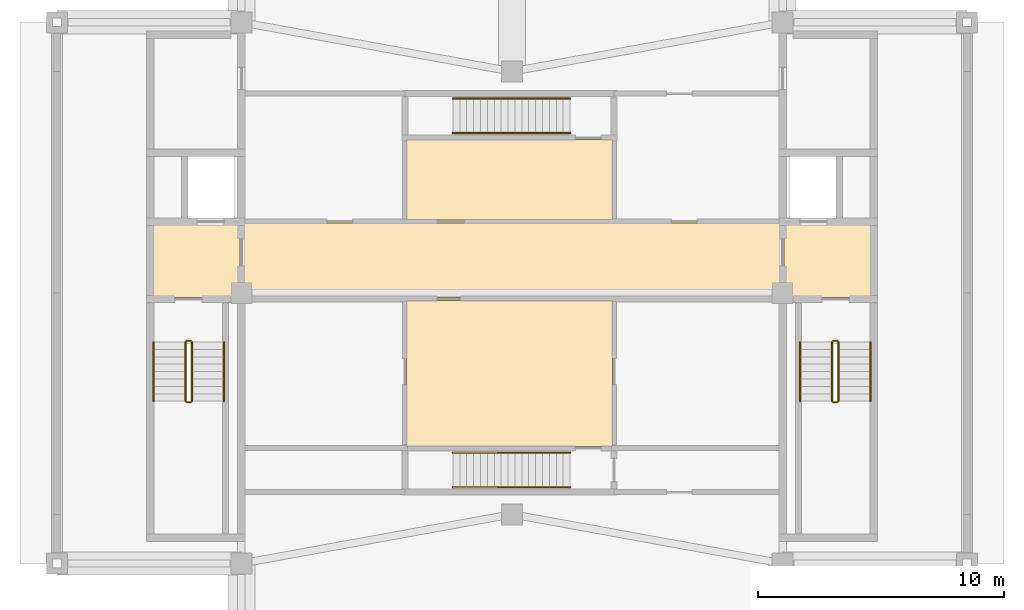
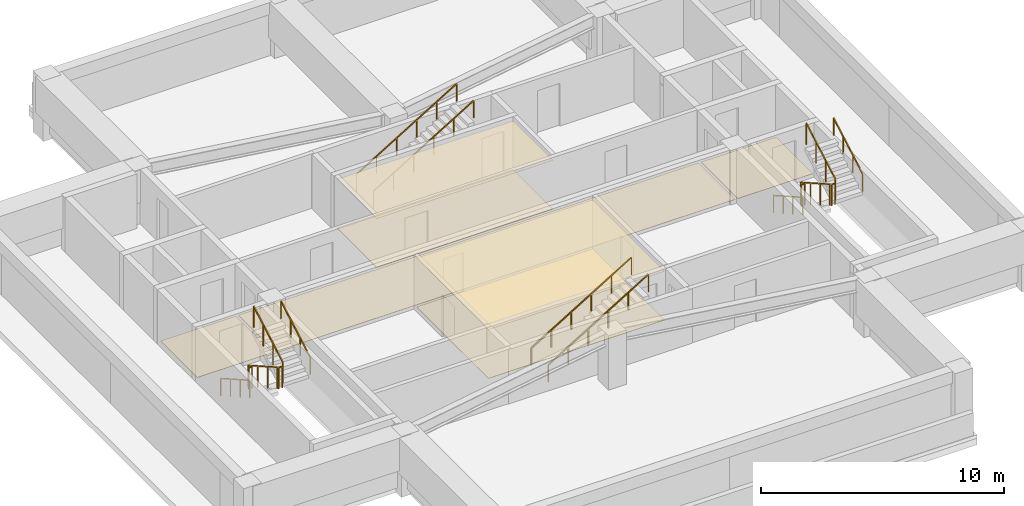
# One storey, part 4 of 4: 16 railings, 7 coverings.
"""IFC4 building model written with IfcOpenShell, lengths in metres."""

from ifc_helpers import new_model, si_unit, direction, frame, origin, origin_2d, place, context, subcontext, project, spatial, polyline, rectangle, outline, extrude, material, layer, layer_set, type_object, element, save


model = new_model("IFC4")

# Units and contexts
model_context = context("Model", 3, precision=1e-05, world=origin(), true_north=direction((0.0, 1.0)))
body_context = subcontext(model_context, "Body", "Model", "MODEL_VIEW")
ifc_project = project(units=[si_unit("LENGTHUNIT", "METRE"), si_unit("AREAUNIT", "SQUARE_METRE"), si_unit("VOLUMEUNIT", "CUBIC_METRE"), si_unit("PLANEANGLEUNIT", "RADIAN"), si_unit("MASSUNIT", "GRAM", prefix="KILO")], contexts=[model_context])

# Site, building, storey
site_placement = place(None, origin())
site = spatial("IfcSite", under=ifc_project, at=site_placement, CompositionType="ELEMENT")
building_placement = place(site_placement, origin())
building = spatial("IfcBuilding", under=site, at=building_placement, Name="Zulmaris Gate Convention Tower", CompositionType="ELEMENT")
storey_placement = place(building_placement, frame((0.0, 0.0, 284.85986328125)))
storey = spatial("IfcBuildingStorey", under=building, at=storey_placement, Name="L76", CompositionType="ELEMENT", Elevation=284.85986328125)

# Coverings
ifc_material_1 = material(Name="Mineral Fibre Acoustic Ceiling Tile")
ifc_layer_1 = layer(ifc_material_1, 0.02001953125, Name="Mineral Fibre Acoustic Ceiling Tile")
ifc_layer_set_1 = layer_set([ifc_layer_1], Name="Mineral Fibre Acoustic Ceiling Tile")
covering_type_1 = type_object("IfcCoveringType", Name="CLG-ACOUSTIC-600", PredefinedType="CEILING", material=ifc_layer_set_1)
covering_1_placement = place(storey_placement, frame((0.0, 0.0, 2.455078125)))
element("IfcCovering", 1, at=covering_1_placement, inside=storey, type_object=covering_type_1, Name="CLG-L76-R16", PredefinedType="CEILING", context=body_context, shape_type="SweptSolid", body=[
    extrude(outline(polyline([(-4.2900390625, -6.239990234375), (4.090087890625, -6.239990234375), (4.090087890625, -0.31005859375), (-4.2900390625, -0.31005859375), (-4.2900390625, -6.239990234375)])), origin(), (0.0, 0.0, 1.0), 0.02001953125),
])
covering_2_placement = place(storey_placement, frame((0.0, 0.0, 2.455078125)))
element("IfcCovering", 2, at=covering_2_placement, inside=storey, type_object=covering_type_1, Name="CLG-L76-R17", PredefinedType="CEILING", context=body_context, shape_type="SweptSolid", body=[
    extrude(outline(polyline([(-4.2900390625, 2.9599609375), (4.090087890625, 2.9599609375), (4.090087890625, 6.239990234375), (-4.2900390625, 6.239990234375), (-4.2900390625, 2.9599609375)])), origin(), (0.0, 0.0, 1.0), 0.02001953125),
])
ifc_material_2 = material(Name="Woven Acoustic Wool Carpet Tile")
ifc_layer_2 = layer(ifc_material_2, 0.02001953125, Name="Woven Acoustic Wool Carpet Tile")
ifc_layer_set_2 = layer_set([ifc_layer_2], Name="Woven Acoustic Wool Carpet Tile")
covering_type_2 = type_object("IfcCoveringType", Name="FLR-CARPET-12", PredefinedType="FLOORING", material=ifc_layer_set_2)
covering_3_placement = place(storey_placement, origin())
element("IfcCovering", 3, at=covering_3_placement, inside=storey, type_object=covering_type_2, Name="FLR-L76-R03", PredefinedType="FLOORING", context=body_context, shape_type="SweptSolid", body=[
    extrude(outline(polyline([(-14.639892578125, -0.18994140625), (-11.06005859375, -0.18994140625), (-11.06005859375, 2.840087890625), (-14.639892578125, 2.840087890625), (-14.639892578125, -0.18994140625)])), origin(), (0.0, 0.0, 1.0), 0.02001953125),
])
covering_4_placement = place(storey_placement, origin())
element("IfcCovering", 4, at=covering_4_placement, inside=storey, type_object=covering_type_2, Name="FLR-L76-R08", PredefinedType="FLOORING", context=body_context, shape_type="SweptSolid", body=[
    extrude(outline(polyline([(11.06005859375, -0.18994140625), (14.639892578125, -0.18994140625), (14.639892578125, 2.840087890625), (11.06005859375, 2.840087890625), (11.06005859375, -0.18994140625)])), origin(), (0.0, 0.0, 1.0), 0.02001953125),
])
covering_5_placement = place(storey_placement, origin())
element("IfcCovering", 5, at=covering_5_placement, inside=storey, type_object=covering_type_2, Name="FLR-L76-R15", PredefinedType="FLOORING", context=body_context, shape_type="SweptSolid", body=[
    extrude(outline(polyline([(-10.93994140625, -0.18994140625), (10.93994140625, -0.18994140625), (10.93994140625, 2.840087890625), (-10.93994140625, 2.840087890625), (-10.93994140625, -0.18994140625)])), origin(), (0.0, 0.0, 1.0), 0.02001953125),
])
covering_6_placement = place(storey_placement, origin())
element("IfcCovering", 6, at=covering_6_placement, inside=storey, type_object=covering_type_2, Name="FLR-L76-R16", PredefinedType="FLOORING", context=body_context, shape_type="SweptSolid", body=[
    extrude(outline(polyline([(-4.2900390625, -6.239990234375), (4.090087890625, -6.239990234375), (4.090087890625, -0.31005859375), (-4.2900390625, -0.31005859375), (-4.2900390625, -6.239990234375)])), origin(), (0.0, 0.0, 1.0), 0.02001953125),
])
covering_7_placement = place(storey_placement, origin())
element("IfcCovering", 7, at=covering_7_placement, inside=storey, type_object=covering_type_2, Name="FLR-L76-R17", PredefinedType="FLOORING", context=body_context, shape_type="SweptSolid", body=[
    extrude(outline(polyline([(-4.2900390625, 2.9599609375), (4.090087890625, 2.9599609375), (4.090087890625, 6.239990234375), (-4.2900390625, 6.239990234375), (-4.2900390625, 2.9599609375)])), origin(), (0.0, 0.0, 1.0), 0.02001953125),
])

# Railings
ifc_material_3 = material(Name="Painted Galvanised Steel", Category="steel")
railing_type_1 = type_object("IfcRailingType", Name="RL-STG-1150", PredefinedType="GUARDRAIL", material=ifc_material_3)
railing_1_placement = place(storey_placement, frame((-13.27001953125, -2.0, 0.169921875)))
element("IfcRailing", 8, at=railing_1_placement, inside=storey, type_object=railing_type_1, Name="L76 ST-1 stair guard 1", PredefinedType="GUARDRAIL", context=body_context, shape_type="SweptSolid", body=[
    extrude(rectangle(XDim=0.048095703125, YDim=0.048095703125, at=origin_2d()), frame((0.0, 0.0, 1.076171875), z_axis=(0.0, -0.869996876503, 0.493057232859), x_axis=(1.0, 0.0, 0.0)), (0.0, 0.0, 1.0), 2.758544921875),
    extrude(rectangle(XDim=0.0419921875, YDim=0.0419921875, at=origin_2d()), origin(), (0.0, 0.0, 1.0), 1.052001953125),
    extrude(rectangle(XDim=0.0419921875, YDim=0.0419921875, at=origin_2d()), frame((0.0, -0.800048828125, 0.453369140625)), (0.0, 0.0, 1.0), 1.052001953125),
    extrude(rectangle(XDim=0.0419921875, YDim=0.0419921875, at=origin_2d()), frame((0.0, -1.599853515625, 0.90673828125)), (0.0, 0.0, 1.0), 1.052001953125),
    extrude(rectangle(XDim=0.0419921875, YDim=0.0419921875, at=origin_2d()), frame((0.0, -2.39990234375, 1.360107421875)), (0.0, 0.0, 1.0), 1.052001953125),
])
railing_2_placement = place(storey_placement, frame((-13.219970703125, -4.449951171875, 1.530029296875)))
element("IfcRailing", 9, at=railing_2_placement, inside=storey, type_object=railing_type_1, Name="L76 ST-1 stair guard 2", PredefinedType="GUARDRAIL", context=body_context, shape_type="SweptSolid", body=[
    extrude(rectangle(XDim=0.048095703125, YDim=0.048095703125, at=origin_2d()), frame((0.0, 0.0, 1.076171875), z_axis=(1.0, 0.0, 0.0), x_axis=(0.0, 1.0, 0.0)), (0.0, 0.0, 1.0), 0.159912109375),
    extrude(rectangle(XDim=0.0419921875, YDim=0.0419921875, at=origin_2d()), origin(), (0.0, 0.0, 1.0), 1.052001953125),
    extrude(rectangle(XDim=0.0419921875, YDim=0.0419921875, at=origin_2d()), frame((0.159912109375, 0.0, 0.0)), (0.0, 0.0, 1.0), 1.052001953125),
])
railing_3_placement = place(storey_placement, frame((-13.010009765625, -4.39990234375, 1.699951171875)))
element("IfcRailing", 10, at=railing_3_placement, inside=storey, type_object=railing_type_1, Name="L76 ST-1 stair guard 3", PredefinedType="GUARDRAIL", context=body_context, shape_type="SweptSolid", body=[
    extrude(rectangle(XDim=0.048095703125, YDim=0.048095703125, at=origin_2d()), frame((0.0, 0.0, 1.076171875), z_axis=(0.0, 0.869996876503, 0.493057232859), x_axis=(-1.0, 0.0, 0.0)), (0.0, 0.0, 1.0), 2.758544921875),
    extrude(rectangle(XDim=0.0419921875, YDim=0.0419921875, at=origin_2d()), origin(), (0.0, 0.0, 1.0), 1.052001953125),
    extrude(rectangle(XDim=0.0419921875, YDim=0.0419921875, at=origin_2d()), frame((0.0, 0.800048828125, 0.453369140625)), (0.0, 0.0, 1.0), 1.052001953125),
    extrude(rectangle(XDim=0.0419921875, YDim=0.0419921875, at=origin_2d()), frame((0.0, 1.599853515625, 0.90673828125)), (0.0, 0.0, 1.0), 1.052001953125),
    extrude(rectangle(XDim=0.0419921875, YDim=0.0419921875, at=origin_2d()), frame((0.0, 2.39990234375, 1.360107421875)), (0.0, 0.0, 1.0), 1.052001953125),
])
railing_4_placement = place(storey_placement, frame((-13.219970703125, -1.949951171875, 0.0)))
element("IfcRailing", 11, at=railing_4_placement, inside=storey, type_object=railing_type_1, Name="L76 ST-1 stair guard 4", PredefinedType="GUARDRAIL", context=body_context, shape_type="SweptSolid", body=[
    extrude(rectangle(XDim=0.048095703125, YDim=0.048095703125, at=origin_2d()), frame((0.0, 0.0, 1.076171875), z_axis=(1.0, 0.0, 0.0), x_axis=(0.0, 1.0, 0.0)), (0.0, 0.0, 1.0), 0.159912109375),
    extrude(rectangle(XDim=0.0419921875, YDim=0.0419921875, at=origin_2d()), origin(), (0.0, 0.0, 1.0), 1.052001953125),
    extrude(rectangle(XDim=0.0419921875, YDim=0.0419921875, at=origin_2d()), frame((0.159912109375, 0.0, 0.0)), (0.0, 0.0, 1.0), 1.052001953125),
])
railing_5_placement = place(storey_placement, frame((13.010009765625, -2.0, 0.169921875)))
element("IfcRailing", 12, at=railing_5_placement, inside=storey, type_object=railing_type_1, Name="L76 ST-2 stair guard 1", PredefinedType="GUARDRAIL", context=body_context, shape_type="SweptSolid", body=[
    extrude(rectangle(XDim=0.048095703125, YDim=0.048095703125, at=origin_2d()), frame((0.0, 0.0, 1.076171875), z_axis=(0.0, -0.869996876503, 0.493057232859), x_axis=(1.0, 0.0, 0.0)), (0.0, 0.0, 1.0), 2.758544921875),
    extrude(rectangle(XDim=0.0419921875, YDim=0.0419921875, at=origin_2d()), origin(), (0.0, 0.0, 1.0), 1.052001953125),
    extrude(rectangle(XDim=0.0419921875, YDim=0.0419921875, at=origin_2d()), frame((0.0, -0.800048828125, 0.453369140625)), (0.0, 0.0, 1.0), 1.052001953125),
    extrude(rectangle(XDim=0.0419921875, YDim=0.0419921875, at=origin_2d()), frame((0.0, -1.599853515625, 0.90673828125)), (0.0, 0.0, 1.0), 1.052001953125),
    extrude(rectangle(XDim=0.0419921875, YDim=0.0419921875, at=origin_2d()), frame((0.0, -2.39990234375, 1.360107421875)), (0.0, 0.0, 1.0), 1.052001953125),
])
railing_6_placement = place(storey_placement, frame((13.06005859375, -4.449951171875, 1.530029296875)))
element("IfcRailing", 13, at=railing_6_placement, inside=storey, type_object=railing_type_1, Name="L76 ST-2 stair guard 2", PredefinedType="GUARDRAIL", context=body_context, shape_type="SweptSolid", body=[
    extrude(rectangle(XDim=0.048095703125, YDim=0.048095703125, at=origin_2d()), frame((0.0, 0.0, 1.076171875), z_axis=(1.0, 0.0, 0.0), x_axis=(0.0, 1.0, 0.0)), (0.0, 0.0, 1.0), 0.159912109375),
    extrude(rectangle(XDim=0.0419921875, YDim=0.0419921875, at=origin_2d()), origin(), (0.0, 0.0, 1.0), 1.052001953125),
    extrude(rectangle(XDim=0.0419921875, YDim=0.0419921875, at=origin_2d()), frame((0.159912109375, 0.0, 0.0)), (0.0, 0.0, 1.0), 1.052001953125),
])
railing_7_placement = place(storey_placement, frame((13.27001953125, -4.39990234375, 1.699951171875)))
element("IfcRailing", 14, at=railing_7_placement, inside=storey, type_object=railing_type_1, Name="L76 ST-2 stair guard 3", PredefinedType="GUARDRAIL", context=body_context, shape_type="SweptSolid", body=[
    extrude(rectangle(XDim=0.048095703125, YDim=0.048095703125, at=origin_2d()), frame((0.0, 0.0, 1.076171875), z_axis=(0.0, 0.869996876503, 0.493057232859), x_axis=(-1.0, 0.0, 0.0)), (0.0, 0.0, 1.0), 2.758544921875),
    extrude(rectangle(XDim=0.0419921875, YDim=0.0419921875, at=origin_2d()), origin(), (0.0, 0.0, 1.0), 1.052001953125),
    extrude(rectangle(XDim=0.0419921875, YDim=0.0419921875, at=origin_2d()), frame((0.0, 0.800048828125, 0.453369140625)), (0.0, 0.0, 1.0), 1.052001953125),
    extrude(rectangle(XDim=0.0419921875, YDim=0.0419921875, at=origin_2d()), frame((0.0, 1.599853515625, 0.90673828125)), (0.0, 0.0, 1.0), 1.052001953125),
    extrude(rectangle(XDim=0.0419921875, YDim=0.0419921875, at=origin_2d()), frame((0.0, 2.39990234375, 1.360107421875)), (0.0, 0.0, 1.0), 1.052001953125),
])
railing_8_placement = place(storey_placement, frame((13.06005859375, -1.949951171875, 0.0)))
element("IfcRailing", 15, at=railing_8_placement, inside=storey, type_object=railing_type_1, Name="L76 ST-2 stair guard 4", PredefinedType="GUARDRAIL", context=body_context, shape_type="SweptSolid", body=[
    extrude(rectangle(XDim=0.048095703125, YDim=0.048095703125, at=origin_2d()), frame((0.0, 0.0, 1.076171875), z_axis=(1.0, 0.0, 0.0), x_axis=(0.0, 1.0, 0.0)), (0.0, 0.0, 1.0), 0.159912109375),
    extrude(rectangle(XDim=0.0419921875, YDim=0.0419921875, at=origin_2d()), origin(), (0.0, 0.0, 1.0), 1.052001953125),
    extrude(rectangle(XDim=0.0419921875, YDim=0.0419921875, at=origin_2d()), frame((0.159912109375, 0.0, 0.0)), (0.0, 0.0, 1.0), 1.052001953125),
])
ifc_material_4 = material(Name="Brushed Stainless Steel", Category="steel")
railing_type_2 = type_object("IfcRailingType", Name="RL-STH-900", PredefinedType="HANDRAIL", material=ifc_material_4)
railing_9_placement = place(storey_placement, frame((-14.570068359375, -2.0, 0.169921875)))
element("IfcRailing", 16, at=railing_9_placement, inside=storey, type_object=railing_type_2, Name="L76 ST-1 stair handrail 1", PredefinedType="HANDRAIL", context=body_context, shape_type="SweptSolid", body=[
    extrude(rectangle(XDim=0.048095703125, YDim=0.048095703125, at=origin_2d()), frame((0.0, 0.0, 0.8759765625), z_axis=(0.0, -0.869996876503, 0.493057232859), x_axis=(1.0, 0.0, 0.0)), (0.0, 0.0, 1.0), 2.758544921875),
    extrude(rectangle(XDim=0.0419921875, YDim=0.0419921875, at=origin_2d()), origin(), (0.0, 0.0, 1.0), 0.851806640625),
    extrude(rectangle(XDim=0.0419921875, YDim=0.0419921875, at=origin_2d()), frame((0.0, -0.800048828125, 0.453369140625)), (0.0, 0.0, 1.0), 0.851806640625),
    extrude(rectangle(XDim=0.0419921875, YDim=0.0419921875, at=origin_2d()), frame((0.0, -1.599853515625, 0.90673828125)), (0.0, 0.0, 1.0), 0.851806640625),
    extrude(rectangle(XDim=0.0419921875, YDim=0.0419921875, at=origin_2d()), frame((0.0, -2.39990234375, 1.360107421875)), (0.0, 0.0, 1.0), 0.851806640625),
])
railing_10_placement = place(storey_placement, frame((-11.7099609375, -4.39990234375, 1.699951171875)))
element("IfcRailing", 17, at=railing_10_placement, inside=storey, type_object=railing_type_2, Name="L76 ST-1 stair handrail 2", PredefinedType="HANDRAIL", context=body_context, shape_type="SweptSolid", body=[
    extrude(rectangle(XDim=0.048095703125, YDim=0.048095703125, at=origin_2d()), frame((0.0, 0.0, 0.8759765625), z_axis=(0.0, 0.869996876503, 0.493057232859), x_axis=(-1.0, 0.0, 0.0)), (0.0, 0.0, 1.0), 2.758544921875),
    extrude(rectangle(XDim=0.0419921875, YDim=0.0419921875, at=origin_2d()), origin(), (0.0, 0.0, 1.0), 0.851806640625),
    extrude(rectangle(XDim=0.0419921875, YDim=0.0419921875, at=origin_2d()), frame((0.0, 0.800048828125, 0.453369140625)), (0.0, 0.0, 1.0), 0.851806640625),
    extrude(rectangle(XDim=0.0419921875, YDim=0.0419921875, at=origin_2d()), frame((0.0, 1.599853515625, 0.90673828125)), (0.0, 0.0, 1.0), 0.851806640625),
    extrude(rectangle(XDim=0.0419921875, YDim=0.0419921875, at=origin_2d()), frame((0.0, 2.39990234375, 1.360107421875)), (0.0, 0.0, 1.0), 0.851806640625),
])
railing_11_placement = place(storey_placement, frame((11.7099609375, -2.0, 0.169921875)))
element("IfcRailing", 18, at=railing_11_placement, inside=storey, type_object=railing_type_2, Name="L76 ST-2 stair handrail 1", PredefinedType="HANDRAIL", context=body_context, shape_type="SweptSolid", body=[
    extrude(rectangle(XDim=0.048095703125, YDim=0.048095703125, at=origin_2d()), frame((0.0, 0.0, 0.8759765625), z_axis=(0.0, -0.869996876503, 0.493057232859), x_axis=(1.0, 0.0, 0.0)), (0.0, 0.0, 1.0), 2.758544921875),
    extrude(rectangle(XDim=0.0419921875, YDim=0.0419921875, at=origin_2d()), origin(), (0.0, 0.0, 1.0), 0.851806640625),
    extrude(rectangle(XDim=0.0419921875, YDim=0.0419921875, at=origin_2d()), frame((0.0, -0.800048828125, 0.453369140625)), (0.0, 0.0, 1.0), 0.851806640625),
    extrude(rectangle(XDim=0.0419921875, YDim=0.0419921875, at=origin_2d()), frame((0.0, -1.599853515625, 0.90673828125)), (0.0, 0.0, 1.0), 0.851806640625),
    extrude(rectangle(XDim=0.0419921875, YDim=0.0419921875, at=origin_2d()), frame((0.0, -2.39990234375, 1.360107421875)), (0.0, 0.0, 1.0), 0.851806640625),
])
railing_12_placement = place(storey_placement, frame((14.570068359375, -4.39990234375, 1.699951171875)))
element("IfcRailing", 19, at=railing_12_placement, inside=storey, type_object=railing_type_2, Name="L76 ST-2 stair handrail 2", PredefinedType="HANDRAIL", context=body_context, shape_type="SweptSolid", body=[
    extrude(rectangle(XDim=0.048095703125, YDim=0.048095703125, at=origin_2d()), frame((0.0, 0.0, 0.8759765625), z_axis=(0.0, 0.869996876503, 0.493057232859), x_axis=(-1.0, 0.0, 0.0)), (0.0, 0.0, 1.0), 2.758544921875),
    extrude(rectangle(XDim=0.0419921875, YDim=0.0419921875, at=origin_2d()), origin(), (0.0, 0.0, 1.0), 0.851806640625),
    extrude(rectangle(XDim=0.0419921875, YDim=0.0419921875, at=origin_2d()), frame((0.0, 0.800048828125, 0.453369140625)), (0.0, 0.0, 1.0), 0.851806640625),
    extrude(rectangle(XDim=0.0419921875, YDim=0.0419921875, at=origin_2d()), frame((0.0, 1.599853515625, 0.90673828125)), (0.0, 0.0, 1.0), 0.851806640625),
    extrude(rectangle(XDim=0.0419921875, YDim=0.0419921875, at=origin_2d()), frame((0.0, 2.39990234375, 1.360107421875)), (0.0, 0.0, 1.0), 0.851806640625),
])
for number, where, name in (
    (20, (-2.39990234375, -7.89990234375, 0.169921875), "L76 ST-7 stair handrail 1"),
    (21, (-2.39990234375, -6.5, 0.169921875), "L76 ST-7 stair handrail 2"),
    (22, (-2.39990234375, 6.5, 0.169921875), "L76 ST-8 stair handrail 1"),
    (23, (-2.39990234375, 7.89990234375, 0.169921875), "L76 ST-8 stair handrail 2"),
):
    element("IfcRailing", number, at=place(storey_placement, frame(where)), inside=storey, type_object=railing_type_2, Name=name, PredefinedType="HANDRAIL", context=body_context, shape_type="SweptSolid", body=[
        extrude(rectangle(XDim=0.048095703125, YDim=0.048095703125, at=origin_2d()), frame((0.0, 0.0, 0.8759765625), z_axis=(0.854777096061, 0.0, 0.518995294824), x_axis=(0.0, 1.0, 0.0)), (0.0, 0.0, 1.0), 5.568603515625),
        extrude(rectangle(XDim=0.0419921875, YDim=0.0419921875, at=origin_2d()), origin(), (0.0, 0.0, 1.0), 0.851806640625),
        extrude(rectangle(XDim=0.0419921875, YDim=0.0419921875, at=origin_2d()), frame((0.951904296875, 0.0, 0.578125)), (0.0, 0.0, 1.0), 0.851806640625),
        extrude(rectangle(XDim=0.0419921875, YDim=0.0419921875, at=origin_2d()), frame((1.904052734375, 0.0, 1.156005859375)), (0.0, 0.0, 1.0), 0.851806640625),
        extrude(rectangle(XDim=0.0419921875, YDim=0.0419921875, at=origin_2d()), frame((2.85595703125, 0.0, 1.734130859375)), (0.0, 0.0, 1.0), 0.851806640625),
        extrude(rectangle(XDim=0.0419921875, YDim=0.0419921875, at=origin_2d()), frame((3.80810546875, 0.0, 2.31201171875)), (0.0, 0.0, 1.0), 0.851806640625),
        extrude(rectangle(XDim=0.0419921875, YDim=0.0419921875, at=origin_2d()), frame((4.760009765625, 0.0, 2.89013671875)), (0.0, 0.0, 1.0), 0.851806640625),
    ])

save(model, "model.ifc")
